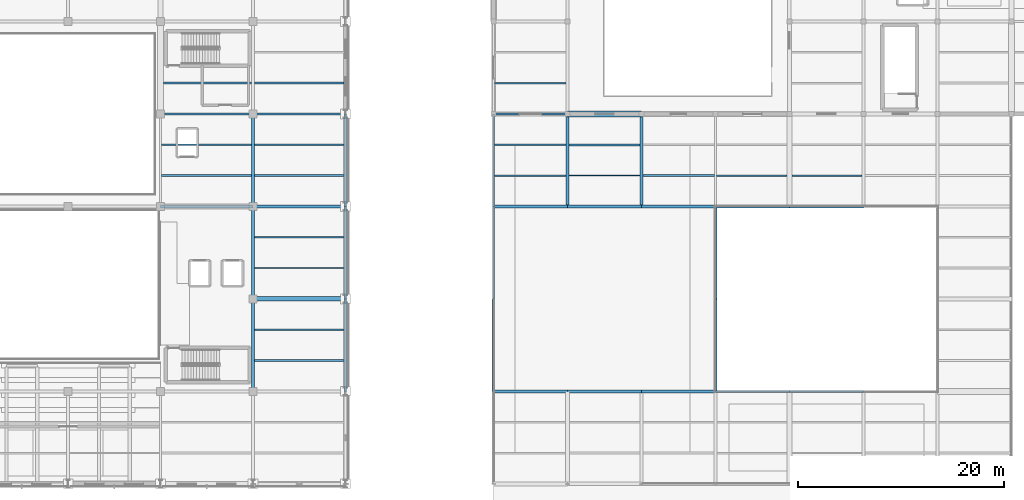
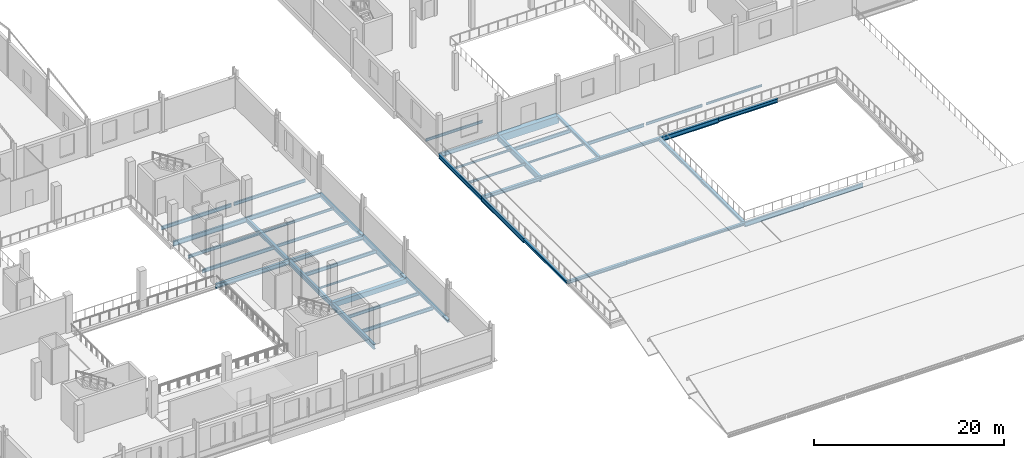
# One storey, part 10 of 54: 48 beams.
"""IFC4 building model written with IfcOpenShell, lengths in metres."""

from ifc_helpers import new_model, si_unit, direction, frame, origin, origin_2d, place, context, subcontext, project, spatial, rectangle, i_section, extrude, material, material_profile, profile_set, type_object, element, save


model = new_model("IFC4")

# Units and contexts
model_context = context("Model", 3, precision=1e-05, world=origin(), true_north=direction((0.0, 1.0)))
body_context = subcontext(model_context, "Body", "Model", "MODEL_VIEW")
ifc_project = project(units=[si_unit("LENGTHUNIT", "METRE"), si_unit("AREAUNIT", "SQUARE_METRE"), si_unit("VOLUMEUNIT", "CUBIC_METRE"), si_unit("PLANEANGLEUNIT", "RADIAN"), si_unit("MASSUNIT", "GRAM", prefix="KILO")], contexts=[model_context])

# Site, building, storey
site_placement = place(None, origin())
site = spatial("IfcSite", under=ifc_project, at=site_placement, CompositionType="ELEMENT")
building_placement = place(site_placement, origin())
building = spatial("IfcBuilding", under=site, at=building_placement, Name="Sundgate Opera House", CompositionType="ELEMENT")
storey_placement = place(building_placement, frame((0.0, 0.0, 16.800048828125)))
storey = spatial("IfcBuildingStorey", under=building, at=storey_placement, Name="L03", CompositionType="ELEMENT", Elevation=16.800048828125)

# Beams
ifc_material_1 = material(Name="Steel S355J2", Category="steel")
ifc_material_profile_1 = material_profile(ifc_material_1, i_section(OverallWidth=0.300048828125, OverallDepth=0.330078125, WebThickness=0.009521484375, FlangeThickness=0.0166015625, at=origin_2d()), Name="HEA 340")
ifc_profile_set_1 = profile_set([ifc_material_profile_1], Name="Steel S355J2")
beam_type_1 = type_object("IfcBeamType", Name="BM-GR-HEA340", PredefinedType="BEAM", material=ifc_profile_set_1)
for number, where, z_axis, x_axis, name in (
    (1, (95.39990234375, 42.0, -0.47509765625), (0.0, 1.0, 0.0), (-1.0, 0.0, 0.0), "L03 Primary N-S Girder B2512"),
    (2, (117.0, 51.0, -0.47509765625), (0.0, 1.0, 0.0), (-1.0, 0.0, 0.0), "L03 Primary N-S Girder B2534"),
):
    element("IfcBeam", number, at=place(storey_placement, frame(where, z_axis=z_axis, x_axis=x_axis)), inside=storey, type_object=beam_type_1, Name=name, PredefinedType="BEAM", context=body_context, shape_type="SweptSolid", body=[
        extrude(i_section(OverallWidth=0.300048828125, OverallDepth=0.330078125, WebThickness=0.009521484375, FlangeThickness=0.0166015625, at=origin_2d()), origin(), (0.0, 0.0, 1.0), 9.0),
    ])
beam_1_placement = place(storey_placement, frame((109.800048828125, 42.0, -0.47509765625), z_axis=(1.0, 0.0, 0.0), x_axis=(0.0, 1.0, 0.0)))
element("IfcBeam", 3, at=beam_1_placement, inside=storey, type_object=beam_type_1, Name="L03 Primary E-W Girder B2600", PredefinedType="BEAM", context=body_context, shape_type="SweptSolid", body=[
    extrude(i_section(OverallWidth=0.300048828125, OverallDepth=0.330078125, WebThickness=0.009521484375, FlangeThickness=0.0166015625, at=origin_2d()), origin(), (0.0, 0.0, 1.0), 7.199951171875),
])
ifc_material_2 = material(Name="Steel S355J2", Category="steel")
ifc_material_profile_2 = material_profile(ifc_material_2, i_section(OverallWidth=0.300048828125, OverallDepth=0.35009765625, WebThickness=0.010009765625, FlangeThickness=0.017578125, at=origin_2d()), Name="HEA 360")
ifc_profile_set_2 = profile_set([ifc_material_profile_2], Name="Steel S355J2")
beam_type_2 = type_object("IfcBeamType", Name="BM-GR-HEA360", PredefinedType="BEAM", material=ifc_profile_set_2)
beam_2_placement = place(storey_placement, frame((117.0, 42.0, -0.485107421875), z_axis=(0.0, 1.0, 0.0), x_axis=(-1.0, 0.0, 0.0)))
element("IfcBeam", 4, at=beam_2_placement, inside=storey, type_object=beam_type_2, Name="L03 Primary N-S Girder B2533", PredefinedType="BEAM", context=body_context, shape_type="SweptSolid", body=[
    extrude(i_section(OverallWidth=0.300048828125, OverallDepth=0.35009765625, WebThickness=0.010009765625, FlangeThickness=0.017578125, at=origin_2d()), origin(), (0.0, 0.0, 1.0), 9.0),
])
beam_3_placement = place(storey_placement, frame((102.60009765625, 42.0, -0.485107421875), z_axis=(1.0, 0.0, 0.0), x_axis=(0.0, 1.0, 0.0)))
element("IfcBeam", 5, at=beam_3_placement, inside=storey, type_object=beam_type_2, Name="L03 Primary E-W Girder B2599", PredefinedType="BEAM", context=body_context, shape_type="SweptSolid", body=[
    extrude(i_section(OverallWidth=0.300048828125, OverallDepth=0.35009765625, WebThickness=0.010009765625, FlangeThickness=0.017578125, at=origin_2d()), origin(), (0.0, 0.0, 1.0), 7.199951171875),
])
ifc_material_3 = material(Name="Steel S355J2", Category="steel")
ifc_material_profile_3 = material_profile(ifc_material_3, i_section(OverallWidth=0.300048828125, OverallDepth=0.389892578125, WebThickness=0.010986328125, FlangeThickness=0.01904296875, at=origin_2d()), Name="HEA 400")
ifc_profile_set_3 = profile_set([ifc_material_profile_3], Name="Steel S355J2")
beam_type_3 = type_object("IfcBeamType", Name="BM-GR-HEA400", PredefinedType="BEAM", material=ifc_profile_set_3)
beam_4_placement = place(storey_placement, frame((95.39990234375, 42.0, -0.505126953125), z_axis=(1.0, 0.0, 0.0), x_axis=(0.0, 1.0, 0.0)))
element("IfcBeam", 6, at=beam_4_placement, inside=storey, type_object=beam_type_3, Name="L03 Primary E-W Girder B2598", PredefinedType="BEAM", context=body_context, shape_type="SweptSolid", body=[
    extrude(i_section(OverallWidth=0.300048828125, OverallDepth=0.389892578125, WebThickness=0.010986328125, FlangeThickness=0.01904296875, at=origin_2d()), origin(), (0.0, 0.0, 1.0), 7.2001953125),
])
ifc_material_4 = material(Name="Steel S355J2", Category="steel")
ifc_material_profile_4 = material_profile(ifc_material_4, i_section(OverallWidth=0.300048828125, OverallDepth=0.489990234375, WebThickness=0.011962890625, FlangeThickness=0.02294921875, at=origin_2d()), Name="HEA 500")
ifc_profile_set_4 = profile_set([ifc_material_profile_4], Name="Steel S355J2")
beam_type_4 = type_object("IfcBeamType", Name="BM-GR-HEA500", PredefinedType="BEAM", material=ifc_profile_set_4)
beam_5_placement = place(storey_placement, frame((81.0, 60.0, -0.525146484375), z_axis=(0.0, 1.0, 0.0), x_axis=(-1.0, 0.0, 0.0)))
element("IfcBeam", 7, at=beam_5_placement, inside=storey, type_object=beam_type_4, Name="L03 Primary N-S Girder B2508", PredefinedType="BEAM", context=body_context, shape_type="SweptSolid", body=[
    extrude(i_section(OverallWidth=0.300048828125, OverallDepth=0.489990234375, WebThickness=0.011962890625, FlangeThickness=0.02294921875, at=origin_2d()), origin(), (0.0, 0.0, 1.0), 9.0),
])
beam_6_placement = place(storey_placement, frame((124.199951171875, 60.0, -0.554931640625), z_axis=(1.0, 0.0, 0.0), x_axis=(0.0, 1.0, 0.0)))
element("IfcBeam", 8, at=beam_6_placement, inside=storey, type_object=beam_type_4, Name="L03 Primary E-W Girder B2618", PredefinedType="BEAM", context=body_context, shape_type="SweptSolid", body=[
    extrude(i_section(OverallWidth=0.300048828125, OverallDepth=0.489990234375, WebThickness=0.011962890625, FlangeThickness=0.02294921875, at=origin_2d()), origin(), (0.0, 0.0, 1.0), 7.199951171875),
])
ifc_material_5 = material(Name="Steel S355J2", Category="steel")
ifc_material_profile_5 = material_profile(ifc_material_5, i_section(OverallWidth=0.300048828125, OverallDepth=0.590087890625, WebThickness=0.012939453125, FlangeThickness=0.02490234375, at=origin_2d()), Name="HEA 600")
ifc_profile_set_5 = profile_set([ifc_material_profile_5], Name="Steel S355J2")
beam_type_5 = type_object("IfcBeamType", Name="BM-GR-HEA600", PredefinedType="BEAM", material=ifc_profile_set_5)
beam_7_placement = place(storey_placement, frame((81.0, 51.0, -0.574951171875), z_axis=(0.0, 1.0, 0.0), x_axis=(-1.0, 0.0, 0.0)))
element("IfcBeam", 9, at=beam_7_placement, inside=storey, type_object=beam_type_5, Name="L03 Primary N-S Girder B2507", PredefinedType="BEAM", context=body_context, shape_type="SweptSolid", body=[
    extrude(i_section(OverallWidth=0.300048828125, OverallDepth=0.590087890625, WebThickness=0.012939453125, FlangeThickness=0.02490234375, at=origin_2d()), origin(), (0.0, 0.0, 1.0), 9.0),
])
beam_8_placement = place(storey_placement, frame((117.0, 60.0, -0.60498046875), z_axis=(1.0, 0.0, 0.0), x_axis=(0.0, 1.0, 0.0)))
element("IfcBeam", 10, at=beam_8_placement, inside=storey, type_object=beam_type_5, Name="L03 Primary E-W Girder B2617", PredefinedType="BEAM", context=body_context, shape_type="SweptSolid", body=[
    extrude(i_section(OverallWidth=0.300048828125, OverallDepth=0.590087890625, WebThickness=0.012939453125, FlangeThickness=0.02490234375, at=origin_2d()), origin(), (0.0, 0.0, 1.0), 7.199951171875),
])
ifc_material_6 = material(Name="Steel S355J2", Category="steel")
ifc_material_profile_6 = material_profile(ifc_material_6, i_section(OverallWidth=0.300048828125, OverallDepth=0.360107421875, WebThickness=0.012451171875, FlangeThickness=0.0224609375, at=origin_2d()), Name="HEB 360")
ifc_profile_set_6 = profile_set([ifc_material_profile_6], Name="Steel S355J2")
beam_type_6 = type_object("IfcBeamType", Name="BM-GR-HEB360", PredefinedType="BEAM", material=ifc_profile_set_6)
for number, where, z_axis, x_axis, name in (
    (11, (81.0, 42.0, -0.4599609375), (0.0, 1.0, 0.0), (-1.0, 0.0, 0.0), "L03 Primary N-S Girder B2506"),
    (12, (109.800048828125, 60.0, -0.489990234375), (0.0, 1.0, 0.0), (-1.0, 0.0, 0.0), "L03 Primary N-S Girder B2528"),
):
    element("IfcBeam", number, at=place(storey_placement, frame(where, z_axis=z_axis, x_axis=x_axis)), inside=storey, type_object=beam_type_6, Name=name, PredefinedType="BEAM", context=body_context, shape_type="SweptSolid", body=[
        extrude(i_section(OverallWidth=0.300048828125, OverallDepth=0.360107421875, WebThickness=0.012451171875, FlangeThickness=0.0224609375, at=origin_2d()), origin(), (0.0, 0.0, 1.0), 9.0),
    ])
beam_9_placement = place(storey_placement, frame((109.800048828125, 60.0, -0.489990234375), z_axis=(1.0, 0.0, 0.0), x_axis=(0.0, 1.0, 0.0)))
element("IfcBeam", 13, at=beam_9_placement, inside=storey, type_object=beam_type_6, Name="L03 Primary E-W Girder B2616", PredefinedType="BEAM", context=body_context, shape_type="SweptSolid", body=[
    extrude(i_section(OverallWidth=0.300048828125, OverallDepth=0.360107421875, WebThickness=0.012451171875, FlangeThickness=0.0224609375, at=origin_2d()), origin(), (0.0, 0.0, 1.0), 7.199951171875),
])
ifc_material_7 = material(Name="Steel S355J2", Category="steel")
ifc_material_profile_7 = material_profile(ifc_material_7, i_section(OverallWidth=0.300048828125, OverallDepth=0.39990234375, WebThickness=0.013427734375, FlangeThickness=0.02392578125, at=origin_2d()), Name="HEB 400")
ifc_profile_set_7 = profile_set([ifc_material_profile_7], Name="Steel S355J2")
beam_type_7 = type_object("IfcBeamType", Name="BM-GR-HEB400", PredefinedType="BEAM", material=ifc_profile_set_7)
beam_10_placement = place(storey_placement, frame((102.60009765625, 60.0, -0.510009765625), z_axis=(1.0, 0.0, 0.0), x_axis=(0.0, 1.0, 0.0)))
element("IfcBeam", 14, at=beam_10_placement, inside=storey, type_object=beam_type_7, Name="L03 Primary E-W Girder B2615", PredefinedType="BEAM", context=body_context, shape_type="SweptSolid", body=[
    extrude(i_section(OverallWidth=0.300048828125, OverallDepth=0.39990234375, WebThickness=0.013427734375, FlangeThickness=0.02392578125, at=origin_2d()), origin(), (0.0, 0.0, 1.0), 7.199951171875),
])
ifc_material_8 = material(Name="Steel S355J2", Category="steel")
ifc_material_profile_8 = material_profile(ifc_material_8, i_section(OverallWidth=0.300048828125, OverallDepth=0.449951171875, WebThickness=0.013916015625, FlangeThickness=0.02587890625, at=origin_2d()), Name="HEB 450")
ifc_profile_set_8 = profile_set([ifc_material_profile_8], Name="Steel S355J2")
beam_type_8 = type_object("IfcBeamType", Name="BM-GR-HEB450", PredefinedType="BEAM", material=ifc_profile_set_8)
beam_11_placement = place(storey_placement, frame((95.39990234375, 60.0, -0.53515625), z_axis=(1.0, 0.0, 0.0), x_axis=(0.0, 1.0, 0.0)))
element("IfcBeam", 15, at=beam_11_placement, inside=storey, type_object=beam_type_8, Name="L03 Primary E-W Girder B2614", PredefinedType="BEAM", context=body_context, shape_type="SweptSolid", body=[
    extrude(i_section(OverallWidth=0.300048828125, OverallDepth=0.449951171875, WebThickness=0.013916015625, FlangeThickness=0.02587890625, at=origin_2d()), origin(), (0.0, 0.0, 1.0), 7.2001953125),
])
ifc_material_9 = material(Name="Steel S355J2", Category="steel")
ifc_material_profile_9 = material_profile(ifc_material_9, i_section(OverallWidth=0.300048828125, OverallDepth=0.5, WebThickness=0.014404296875, FlangeThickness=0.028076171875, at=origin_2d()), Name="HEB 500")
ifc_profile_set_9 = profile_set([ifc_material_profile_9], Name="Steel S355J2")
beam_type_9 = type_object("IfcBeamType", Name="BM-GR-HEB500", PredefinedType="BEAM", material=ifc_profile_set_9)
beam_12_placement = place(storey_placement, frame((72.0, 60.0, -0.530029296875), z_axis=(1.0, 0.0, 0.0), x_axis=(0.0, 1.0, 0.0)))
element("IfcBeam", 16, at=beam_12_placement, inside=storey, type_object=beam_type_9, Name="L03 Primary E-W Girder B2613", PredefinedType="BEAM", context=body_context, shape_type="SweptSolid", body=[
    extrude(i_section(OverallWidth=0.300048828125, OverallDepth=0.5, WebThickness=0.014404296875, FlangeThickness=0.028076171875, at=origin_2d()), origin(), (0.0, 0.0, 1.0), 9.0),
])
ifc_material_10 = material(Name="Steel S355J2", Category="steel")
ifc_material_profile_10 = material_profile(ifc_material_10, i_section(OverallWidth=0.300048828125, OverallDepth=0.550048828125, WebThickness=0.014892578125, FlangeThickness=0.029052734375, at=origin_2d()), Name="HEB 550")
ifc_profile_set_10 = profile_set([ifc_material_profile_10], Name="Steel S355J2")
beam_type_10 = type_object("IfcBeamType", Name="BM-GR-HEB550", PredefinedType="BEAM", material=ifc_profile_set_10)
for number, where, z_axis, x_axis, name in (
    (17, (72.0, 60.0, -0.554931640625), (0.0, 1.0, 0.0), (-1.0, 0.0, 0.0), "L03 Primary N-S Girder B2502"),
    (18, (63.0, 60.0, -0.554931640625), (1.0, 0.0, 0.0), (0.0, 1.0, 0.0), "L03 Primary E-W Girder B2612"),
):
    element("IfcBeam", number, at=place(storey_placement, frame(where, z_axis=z_axis, x_axis=x_axis)), inside=storey, type_object=beam_type_10, Name=name, PredefinedType="BEAM", context=body_context, shape_type="SweptSolid", body=[
        extrude(i_section(OverallWidth=0.300048828125, OverallDepth=0.550048828125, WebThickness=0.014892578125, FlangeThickness=0.029052734375, at=origin_2d()), origin(), (0.0, 0.0, 1.0), 9.0),
    ])
ifc_material_11 = material(Name="Steel S355J2", Category="steel")
ifc_material_profile_11 = material_profile(ifc_material_11, i_section(OverallWidth=0.300048828125, OverallDepth=0.60009765625, WebThickness=0.015380859375, FlangeThickness=0.030029296875, at=origin_2d()), Name="HEB 600")
ifc_profile_set_11 = profile_set([ifc_material_profile_11], Name="Steel S355J2")
beam_type_11 = type_object("IfcBeamType", Name="BM-GR-HEB600", PredefinedType="BEAM", material=ifc_profile_set_11)
beam_13_placement = place(storey_placement, frame((72.0, 51.0, -0.580078125), z_axis=(0.0, 1.0, 0.0), x_axis=(-1.0, 0.0, 0.0)))
element("IfcBeam", 19, at=beam_13_placement, inside=storey, type_object=beam_type_11, Name="L03 Primary N-S Girder B2501", PredefinedType="BEAM", context=body_context, shape_type="SweptSolid", body=[
    extrude(i_section(OverallWidth=0.300048828125, OverallDepth=0.60009765625, WebThickness=0.015380859375, FlangeThickness=0.030029296875, at=origin_2d()), origin(), (0.0, 0.0, 1.0), 9.0),
])
ifc_material_12 = material(Name="Steel S355J2", Category="steel")
ifc_material_profile_12 = material_profile(ifc_material_12, i_section(OverallWidth=0.300048828125, OverallDepth=0.64990234375, WebThickness=0.01611328125, FlangeThickness=0.031005859375, at=origin_2d()), Name="HEB 650")
ifc_profile_set_12 = profile_set([ifc_material_profile_12], Name="Steel S355J2")
beam_type_12 = type_object("IfcBeamType", Name="BM-GR-HEB650", PredefinedType="BEAM", material=ifc_profile_set_12)
beam_14_placement = place(storey_placement, frame((72.0, 42.0, -0.60498046875), z_axis=(0.0, 1.0, 0.0), x_axis=(-1.0, 0.0, 0.0)))
element("IfcBeam", 20, at=beam_14_placement, inside=storey, type_object=beam_type_12, Name="L03 Primary N-S Girder B2500", PredefinedType="BEAM", context=body_context, shape_type="SweptSolid", body=[
    extrude(i_section(OverallWidth=0.300048828125, OverallDepth=0.64990234375, WebThickness=0.01611328125, FlangeThickness=0.031005859375, at=origin_2d()), origin(), (0.0, 0.0, 1.0), 9.0),
])
ifc_material_13 = material(Name="Steel S355J2", Category="steel")
ifc_material_profile_13 = material_profile(ifc_material_13, i_section(OverallWidth=0.300048828125, OverallDepth=0.699951171875, WebThickness=0.01708984375, FlangeThickness=0.031982421875, at=origin_2d()), Name="HEB 700")
ifc_profile_set_13 = profile_set([ifc_material_profile_13], Name="Steel S355J2")
beam_type_13 = type_object("IfcBeamType", Name="BM-GR-HEB700", PredefinedType="BEAM", material=ifc_profile_set_13)
beam_15_placement = place(storey_placement, frame((102.60009765625, 60.0, -0.66015625), z_axis=(0.0, 1.0, 0.0), x_axis=(-1.0, 0.0, 0.0)))
element("IfcBeam", 21, at=beam_15_placement, inside=storey, type_object=beam_type_13, Name="L03 Primary N-S Girder B2521", PredefinedType="BEAM", context=body_context, shape_type="SweptSolid", body=[
    extrude(i_section(OverallWidth=0.300048828125, OverallDepth=0.699951171875, WebThickness=0.01708984375, FlangeThickness=0.031982421875, at=origin_2d()), origin(), (0.0, 0.0, 1.0), 9.0),
])
ifc_material_14 = material(Name="Steel S355J2", Category="steel")
ifc_material_profile_14 = material_profile(ifc_material_14, i_section(OverallWidth=0.199951171875, OverallDepth=0.5, WebThickness=0.01025390625, FlangeThickness=0.01611328125, at=origin_2d()), Name="IPE 500")
ifc_profile_set_14 = profile_set([ifc_material_profile_14], Name="Steel S355J2")
beam_type_14 = type_object("IfcBeamType", Name="BM-GR-IPE500", PredefinedType="BEAM", material=ifc_profile_set_14)
beam_16_placement = place(storey_placement, frame((95.39990234375, 69.0, -0.56005859375), z_axis=(1.0, 0.0, 0.0), x_axis=(0.0, 1.0, 0.0)))
element("IfcBeam", 22, at=beam_16_placement, inside=storey, type_object=beam_type_14, Name="L03 Primary E-W Girder B2625", PredefinedType="BEAM", context=body_context, shape_type="SweptSolid", body=[
    extrude(i_section(OverallWidth=0.199951171875, OverallDepth=0.5, WebThickness=0.01025390625, FlangeThickness=0.01611328125, at=origin_2d()), origin(), (0.0, 0.0, 1.0), 7.2001953125),
])
ifc_material_15 = material(Name="Steel S355J2", Category="steel")
ifc_material_profile_15 = material_profile(ifc_material_15, i_section(OverallWidth=0.2099609375, OverallDepth=0.550048828125, WebThickness=0.010986328125, FlangeThickness=0.01708984375, at=origin_2d()), Name="IPE 550")
ifc_profile_set_15 = profile_set([ifc_material_profile_15], Name="Steel S355J2")
beam_type_15 = type_object("IfcBeamType", Name="BM-GR-IPE550", PredefinedType="BEAM", material=ifc_profile_set_15)
beam_17_placement = place(storey_placement, frame((95.39990234375, 60.0, -0.5849609375), z_axis=(0.0, 1.0, 0.0), x_axis=(-1.0, 0.0, 0.0)))
element("IfcBeam", 23, at=beam_17_placement, inside=storey, type_object=beam_type_15, Name="L03 Primary N-S Girder B2514", PredefinedType="BEAM", context=body_context, shape_type="SweptSolid", body=[
    extrude(i_section(OverallWidth=0.2099609375, OverallDepth=0.550048828125, WebThickness=0.010986328125, FlangeThickness=0.01708984375, at=origin_2d()), origin(), (0.0, 0.0, 1.0), 9.0),
])
beam_18_placement = place(storey_placement, frame((124.199951171875, 42.0, -0.5849609375), z_axis=(1.0, 0.0, 0.0), x_axis=(0.0, 1.0, 0.0)))
element("IfcBeam", 24, at=beam_18_placement, inside=storey, type_object=beam_type_15, Name="L03 Primary E-W Girder B2602", PredefinedType="BEAM", context=body_context, shape_type="SweptSolid", body=[
    extrude(i_section(OverallWidth=0.2099609375, OverallDepth=0.550048828125, WebThickness=0.010986328125, FlangeThickness=0.01708984375, at=origin_2d()), origin(), (0.0, 0.0, 1.0), 7.199951171875),
])
beam_19_placement = place(storey_placement, frame((72.0, 69.0, -0.554931640625), z_axis=(1.0, 0.0, 0.0), x_axis=(0.0, 1.0, 0.0)))
element("IfcBeam", 25, at=beam_19_placement, inside=storey, type_object=beam_type_15, Name="L03 Primary E-W Girder B2624", PredefinedType="BEAM", context=body_context, shape_type="SweptSolid", body=[
    extrude(i_section(OverallWidth=0.2099609375, OverallDepth=0.550048828125, WebThickness=0.010986328125, FlangeThickness=0.01708984375, at=origin_2d()), origin(), (0.0, 0.0, 1.0), 9.0),
])
ifc_material_16 = material(Name="Steel S355J2", Category="steel")
ifc_material_profile_16 = material_profile(ifc_material_16, i_section(OverallWidth=0.219970703125, OverallDepth=0.60009765625, WebThickness=0.011962890625, FlangeThickness=0.01904296875, at=origin_2d()), Name="IPE 600")
ifc_profile_set_16 = profile_set([ifc_material_profile_16], Name="Steel S355J2")
beam_type_16 = type_object("IfcBeamType", Name="BM-GR-IPE600", PredefinedType="BEAM", material=ifc_profile_set_16)
beam_20_placement = place(storey_placement, frame((95.39990234375, 51.0, -0.610107421875), z_axis=(0.0, 1.0, 0.0), x_axis=(-1.0, 0.0, 0.0)))
element("IfcBeam", 26, at=beam_20_placement, inside=storey, type_object=beam_type_16, Name="L03 Primary N-S Girder B2513", PredefinedType="BEAM", context=body_context, shape_type="SweptSolid", body=[
    extrude(i_section(OverallWidth=0.219970703125, OverallDepth=0.60009765625, WebThickness=0.011962890625, FlangeThickness=0.01904296875, at=origin_2d()), origin(), (0.0, 0.0, 1.0), 9.0),
])
beam_21_placement = place(storey_placement, frame((117.0, 42.0, -0.610107421875), z_axis=(1.0, 0.0, 0.0), x_axis=(0.0, 1.0, 0.0)))
element("IfcBeam", 27, at=beam_21_placement, inside=storey, type_object=beam_type_16, Name="L03 Primary E-W Girder B2601", PredefinedType="BEAM", context=body_context, shape_type="SweptSolid", body=[
    extrude(i_section(OverallWidth=0.219970703125, OverallDepth=0.60009765625, WebThickness=0.011962890625, FlangeThickness=0.01904296875, at=origin_2d()), origin(), (0.0, 0.0, 1.0), 7.199951171875),
])
beam_22_placement = place(storey_placement, frame((63.0, 69.0, -0.580078125), z_axis=(1.0, 0.0, 0.0), x_axis=(0.0, 1.0, 0.0)))
element("IfcBeam", 28, at=beam_22_placement, inside=storey, type_object=beam_type_16, Name="L03 Primary E-W Girder B2623", PredefinedType="BEAM", context=body_context, shape_type="SweptSolid", body=[
    extrude(i_section(OverallWidth=0.219970703125, OverallDepth=0.60009765625, WebThickness=0.011962890625, FlangeThickness=0.01904296875, at=origin_2d()), origin(), (0.0, 0.0, 1.0), 9.0),
])
ifc_material_17 = material(Name="Steel S355J2", Category="steel")
ifc_material_profile_17 = material_profile(ifc_material_17, i_section(OverallWidth=0.1201171875, OverallDepth=0.239990234375, WebThickness=0.006103515625, FlangeThickness=0.009765625, at=origin_2d()), Name="IPE 240")
ifc_profile_set_17 = profile_set([ifc_material_profile_17], Name="Steel S355J2")
beam_type_17 = type_object("IfcBeamType", Name="BM-JS-IPE240", PredefinedType="JOIST", material=ifc_profile_set_17)
beam_23_placement = place(storey_placement, frame((72.14990234375, 54.0, -0.400146484375), z_axis=(1.0, 0.0, 0.0), x_axis=(0.0, 1.0, 0.0)))
element("IfcBeam", 29, at=beam_23_placement, inside=storey, type_object=beam_type_17, Name="L03 Secondary Floor Joist B2740", PredefinedType="JOIST", context=body_context, shape_type="SweptSolid", body=[
    extrude(i_section(OverallWidth=0.1201171875, OverallDepth=0.239990234375, WebThickness=0.006103515625, FlangeThickness=0.009765625, at=origin_2d()), origin(), (0.0, 0.0, 1.0), 8.7001953125),
])
beam_24_placement = place(storey_placement, frame((102.75, 63.0, -0.429931640625), z_axis=(1.0, 0.0, 0.0), x_axis=(0.0, 1.0, 0.0)))
element("IfcBeam", 30, at=beam_24_placement, inside=storey, type_object=beam_type_17, Name="L03 Secondary Floor Joist B2754", PredefinedType="JOIST", context=body_context, shape_type="SweptSolid", body=[
    extrude(i_section(OverallWidth=0.1201171875, OverallDepth=0.239990234375, WebThickness=0.006103515625, FlangeThickness=0.009765625, at=origin_2d()), origin(), (0.0, 0.0, 1.0), 6.89990234375),
])
ifc_material_18 = material(Name="Steel S355J2", Category="steel")
ifc_material_profile_18 = material_profile(ifc_material_18, i_section(OverallWidth=0.135009765625, OverallDepth=0.27001953125, WebThickness=0.006591796875, FlangeThickness=0.01025390625, at=origin_2d()), Name="IPE 270")
ifc_profile_set_18 = profile_set([ifc_material_profile_18], Name="Steel S355J2")
beam_type_18 = type_object("IfcBeamType", Name="BM-JS-IPE270", PredefinedType="JOIST", material=ifc_profile_set_18)
beam_25_placement = place(storey_placement, frame((95.5048828125, 66.0, -0.445068359375), z_axis=(1.0, 0.0, 0.0), x_axis=(0.0, 1.0, 0.0)))
element("IfcBeam", 31, at=beam_25_placement, inside=storey, type_object=beam_type_18, Name="L03 Secondary Floor Joist B2753", PredefinedType="JOIST", context=body_context, shape_type="SweptSolid", body=[
    extrude(i_section(OverallWidth=0.135009765625, OverallDepth=0.27001953125, WebThickness=0.006591796875, FlangeThickness=0.01025390625, at=origin_2d()), origin(), (0.0, 0.0, 1.0), 6.945068359375),
])
beam_26_placement = place(storey_placement, frame((124.425048828125, 63.0, -0.445068359375), z_axis=(1.0, 0.0, 0.0), x_axis=(0.0, 1.0, 0.0)))
element("IfcBeam", 32, at=beam_26_placement, inside=storey, type_object=beam_type_18, Name="L03 Secondary Floor Joist B2760", PredefinedType="JOIST", context=body_context, shape_type="SweptSolid", body=[
    extrude(i_section(OverallWidth=0.135009765625, OverallDepth=0.27001953125, WebThickness=0.006591796875, FlangeThickness=0.01025390625, at=origin_2d()), origin(), (0.0, 0.0, 1.0), 6.824951171875),
])
ifc_material_19 = material(Name="Steel S355J2", Category="steel")
ifc_material_profile_19 = material_profile(ifc_material_19, i_section(OverallWidth=0.14990234375, OverallDepth=0.300048828125, WebThickness=0.007080078125, FlangeThickness=0.0107421875, at=origin_2d()), Name="IPE 300")
ifc_profile_set_19 = profile_set([ifc_material_profile_19], Name="Steel S355J2")
beam_type_19 = type_object("IfcBeamType", Name="BM-JS-IPE300", PredefinedType="JOIST", material=ifc_profile_set_19)
beam_27_placement = place(storey_placement, frame((95.5048828125, 63.0, -0.4599609375), z_axis=(1.0, 0.0, 0.0), x_axis=(0.0, 1.0, 0.0)))
element("IfcBeam", 33, at=beam_27_placement, inside=storey, type_object=beam_type_19, Name="L03 Secondary Floor Joist B2752", PredefinedType="JOIST", context=body_context, shape_type="SweptSolid", body=[
    extrude(i_section(OverallWidth=0.14990234375, OverallDepth=0.300048828125, WebThickness=0.007080078125, FlangeThickness=0.0107421875, at=origin_2d()), origin(), (0.0, 0.0, 1.0), 6.945068359375),
])
ifc_material_20 = material(Name="Steel S355J2", Category="steel")
ifc_material_profile_20 = material_profile(ifc_material_20, i_section(OverallWidth=0.159912109375, OverallDepth=0.330078125, WebThickness=0.007568359375, FlangeThickness=0.011474609375, at=origin_2d()), Name="IPE 330")
ifc_profile_set_20 = profile_set([ifc_material_profile_20], Name="Steel S355J2")
beam_type_20 = type_object("IfcBeamType", Name="BM-JS-IPE330", PredefinedType="JOIST", material=ifc_profile_set_20)
beam_28_placement = place(storey_placement, frame((72.14990234375, 66.0, -0.445068359375), z_axis=(1.0, 0.0, 0.0), x_axis=(0.0, 1.0, 0.0)))
element("IfcBeam", 34, at=beam_28_placement, inside=storey, type_object=beam_type_20, Name="L03 Secondary Floor Joist B2751", PredefinedType="JOIST", context=body_context, shape_type="SweptSolid", body=[
    extrude(i_section(OverallWidth=0.159912109375, OverallDepth=0.330078125, WebThickness=0.007568359375, FlangeThickness=0.011474609375, at=origin_2d()), origin(), (0.0, 0.0, 1.0), 8.7001953125),
])
beam_29_placement = place(storey_placement, frame((117.110107421875, 63.0, -0.47509765625), z_axis=(1.0, 0.0, 0.0), x_axis=(0.0, 1.0, 0.0)))
element("IfcBeam", 35, at=beam_29_placement, inside=storey, type_object=beam_type_20, Name="L03 Secondary Floor Joist B2758", PredefinedType="JOIST", context=body_context, shape_type="SweptSolid", body=[
    extrude(i_section(OverallWidth=0.159912109375, OverallDepth=0.330078125, WebThickness=0.007568359375, FlangeThickness=0.011474609375, at=origin_2d()), origin(), (0.0, 0.0, 1.0), 6.864990234375),
])
beam_30_placement = place(storey_placement, frame((95.5, 72.0, -0.445068359375), z_axis=(1.0, 0.0, 0.0), x_axis=(0.0, 1.0, 0.0)))
element("IfcBeam", 36, at=beam_30_placement, inside=storey, type_object=beam_type_20, Name="L03 Secondary Floor Joist B2772", PredefinedType="JOIST", context=body_context, shape_type="SweptSolid", body=[
    extrude(i_section(OverallWidth=0.159912109375, OverallDepth=0.330078125, WebThickness=0.007568359375, FlangeThickness=0.011474609375, at=origin_2d()), origin(), (0.0, 0.0, 1.0), 6.949951171875),
])
ifc_material_21 = material(Name="Steel S355J2", Category="steel")
ifc_material_profile_21 = material_profile(ifc_material_21, i_section(OverallWidth=0.169921875, OverallDepth=0.360107421875, WebThickness=0.008056640625, FlangeThickness=0.0126953125, at=origin_2d()), Name="IPE 360")
ifc_profile_set_21 = profile_set([ifc_material_profile_21], Name="Steel S355J2")
beam_type_21 = type_object("IfcBeamType", Name="BM-JS-IPE360", PredefinedType="JOIST", material=ifc_profile_set_21)
beam_31_placement = place(storey_placement, frame((72.14990234375, 63.0, -0.4599609375), z_axis=(1.0, 0.0, 0.0), x_axis=(0.0, 1.0, 0.0)))
element("IfcBeam", 37, at=beam_31_placement, inside=storey, type_object=beam_type_21, Name="L03 Secondary Floor Joist B2750", PredefinedType="JOIST", context=body_context, shape_type="SweptSolid", body=[
    extrude(i_section(OverallWidth=0.169921875, OverallDepth=0.360107421875, WebThickness=0.008056640625, FlangeThickness=0.0126953125, at=origin_2d()), origin(), (0.0, 0.0, 1.0), 8.7001953125),
])
ifc_material_22 = material(Name="Steel S355J2", Category="steel")
ifc_material_profile_22 = material_profile(ifc_material_22, i_section(OverallWidth=0.179931640625, OverallDepth=0.39990234375, WebThickness=0.008544921875, FlangeThickness=0.013427734375, at=origin_2d()), Name="IPE 400")
ifc_profile_set_22 = profile_set([ifc_material_profile_22], Name="Steel S355J2")
beam_type_22 = type_object("IfcBeamType", Name="BM-JS-IPE400", PredefinedType="JOIST", material=ifc_profile_set_22)
beam_32_placement = place(storey_placement, frame((72.14990234375, 48.0, -0.47998046875), z_axis=(1.0, 0.0, 0.0), x_axis=(0.0, 1.0, 0.0)))
element("IfcBeam", 38, at=beam_32_placement, inside=storey, type_object=beam_type_22, Name="L03 Secondary Floor Joist B2735", PredefinedType="JOIST", context=body_context, shape_type="SweptSolid", body=[
    extrude(i_section(OverallWidth=0.179931640625, OverallDepth=0.39990234375, WebThickness=0.008544921875, FlangeThickness=0.013427734375, at=origin_2d()), origin(), (0.0, 0.0, 1.0), 8.7001953125),
])
beam_33_placement = place(storey_placement, frame((63.10009765625, 66.0, -0.47998046875), z_axis=(1.0, 0.0, 0.0), x_axis=(0.0, 1.0, 0.0)))
element("IfcBeam", 39, at=beam_33_placement, inside=storey, type_object=beam_type_22, Name="L03 Secondary Floor Joist B2749", PredefinedType="JOIST", context=body_context, shape_type="SweptSolid", body=[
    extrude(i_section(OverallWidth=0.179931640625, OverallDepth=0.39990234375, WebThickness=0.008544921875, FlangeThickness=0.013427734375, at=origin_2d()), origin(), (0.0, 0.0, 1.0), 8.75),
])
beam_34_placement = place(storey_placement, frame((109.949951171875, 63.0, -0.510009765625), z_axis=(1.0, 0.0, 0.0), x_axis=(0.0, 1.0, 0.0)))
element("IfcBeam", 40, at=beam_34_placement, inside=storey, type_object=beam_type_22, Name="L03 Secondary Floor Joist B2756", PredefinedType="JOIST", context=body_context, shape_type="SweptSolid", body=[
    extrude(i_section(OverallWidth=0.179931640625, OverallDepth=0.39990234375, WebThickness=0.008544921875, FlangeThickness=0.013427734375, at=origin_2d()), origin(), (0.0, 0.0, 1.0), 6.93994140625),
])
beam_35_placement = place(storey_placement, frame((72.14990234375, 72.0, -0.47998046875), z_axis=(1.0, 0.0, 0.0), x_axis=(0.0, 1.0, 0.0)))
element("IfcBeam", 41, at=beam_35_placement, inside=storey, type_object=beam_type_22, Name="L03 Secondary Floor Joist B2770", PredefinedType="JOIST", context=body_context, shape_type="SweptSolid", body=[
    extrude(i_section(OverallWidth=0.179931640625, OverallDepth=0.39990234375, WebThickness=0.008544921875, FlangeThickness=0.013427734375, at=origin_2d()), origin(), (0.0, 0.0, 1.0), 8.7001953125),
])
ifc_material_23 = material(Name="Steel S355J2", Category="steel")
ifc_material_profile_23 = material_profile(ifc_material_23, i_section(OverallWidth=0.18994140625, OverallDepth=0.449951171875, WebThickness=0.009521484375, FlangeThickness=0.0146484375, at=origin_2d()), Name="IPE 450")
ifc_profile_set_23 = profile_set([ifc_material_profile_23], Name="Steel S355J2")
beam_type_23 = type_object("IfcBeamType", Name="BM-JS-IPE450", PredefinedType="JOIST", material=ifc_profile_set_23)
for number, where, z_axis, x_axis, name in (
    (42, (72.14990234375, 45.0, -0.505126953125), (1.0, 0.0, 0.0), (0.0, 1.0, 0.0), "L03 Secondary Floor Joist B2734"),
    (43, (72.14990234375, 57.0, -0.505126953125), (1.0, 0.0, 0.0), (0.0, 1.0, 0.0), "L03 Secondary Floor Joist B2741"),
):
    element("IfcBeam", number, at=place(storey_placement, frame(where, z_axis=z_axis, x_axis=x_axis)), inside=storey, type_object=beam_type_23, Name=name, PredefinedType="JOIST", context=body_context, shape_type="SweptSolid", body=[
        extrude(i_section(OverallWidth=0.18994140625, OverallDepth=0.449951171875, WebThickness=0.009521484375, FlangeThickness=0.0146484375, at=origin_2d()), origin(), (0.0, 0.0, 1.0), 8.7001953125),
    ])
beam_36_placement = place(storey_placement, frame((63.10009765625, 63.0, -0.505126953125), z_axis=(1.0, 0.0, 0.0), x_axis=(0.0, 1.0, 0.0)))
element("IfcBeam", 44, at=beam_36_placement, inside=storey, type_object=beam_type_23, Name="L03 Secondary Floor Joist B2748", PredefinedType="JOIST", context=body_context, shape_type="SweptSolid", body=[
    extrude(i_section(OverallWidth=0.18994140625, OverallDepth=0.449951171875, WebThickness=0.009521484375, FlangeThickness=0.0146484375, at=origin_2d()), origin(), (0.0, 0.0, 1.0), 8.75),
])
beam_37_placement = place(storey_placement, frame((102.75, 66.0, -0.53515625), z_axis=(1.0, 0.0, 0.0), x_axis=(0.0, 1.0, 0.0)))
element("IfcBeam", 45, at=beam_37_placement, inside=storey, type_object=beam_type_23, Name="L03 Secondary Floor Joist B2755", PredefinedType="JOIST", context=body_context, shape_type="SweptSolid", body=[
    extrude(i_section(OverallWidth=0.18994140625, OverallDepth=0.449951171875, WebThickness=0.009521484375, FlangeThickness=0.0146484375, at=origin_2d()), origin(), (0.0, 0.0, 1.0), 6.89990234375),
])
beam_38_placement = place(storey_placement, frame((63.300048828125, 72.0, -0.505126953125), z_axis=(1.0, 0.0, 0.0), x_axis=(0.0, 1.0, 0.0)))
element("IfcBeam", 46, at=beam_38_placement, inside=storey, type_object=beam_type_23, Name="L03 Secondary Floor Joist B2769", PredefinedType="JOIST", context=body_context, shape_type="SweptSolid", body=[
    extrude(i_section(OverallWidth=0.18994140625, OverallDepth=0.449951171875, WebThickness=0.009521484375, FlangeThickness=0.0146484375, at=origin_2d()), origin(), (0.0, 0.0, 1.0), 8.550048828125),
])
ifc_material_24 = material(Name="Concrete C35/45", Category="concrete")
ifc_material_profile_24 = material_profile(ifc_material_24, rectangle(XDim=0.449951171875, YDim=0.64990234375, at=origin_2d()), Name="RC 450x650")
ifc_profile_set_24 = profile_set([ifc_material_profile_24], Name="Concrete C35/45")
beam_type_24 = type_object("IfcBeamType", Name="BM-RC-450x650", PredefinedType="BEAM", material=ifc_profile_set_24)
beam_39_placement = place(storey_placement, frame((72.0, 51.0, -0.60498046875), z_axis=(1.0, 0.0, 0.0), x_axis=(0.0, 1.0, 0.0)))
element("IfcBeam", 47, at=beam_39_placement, inside=storey, type_object=beam_type_24, Name="L03 Primary E-W Girder B2606", PredefinedType="BEAM", context=body_context, shape_type="SweptSolid", body=[
    extrude(rectangle(XDim=0.449951171875, YDim=0.64990234375, at=origin_2d()), origin(), (0.0, 0.0, 1.0), 9.0),
])
ifc_material_25 = material(Name="Concrete C40/50", Category="concrete")
ifc_material_profile_25 = material_profile(ifc_material_25, rectangle(XDim=0.60009765625, YDim=0.949951171875, at=origin_2d()), Name="RC 600x950")
ifc_profile_set_25 = profile_set([ifc_material_profile_25], Name="Concrete C40/50")
beam_type_25 = type_object("IfcBeamType", Name="BM-RC-600x950", PredefinedType="BEAM", material=ifc_profile_set_25)
beam_40_placement = place(storey_placement, frame((102.60009765625, 69.0, -0.78515625), z_axis=(1.0, 0.0, 0.0), x_axis=(0.0, 1.0, 0.0)))
element("IfcBeam", 48, at=beam_40_placement, inside=storey, type_object=beam_type_25, Name="L03 Primary E-W Girder B2626", PredefinedType="BEAM", context=body_context, shape_type="SweptSolid", body=[
    extrude(rectangle(XDim=0.60009765625, YDim=0.949951171875, at=origin_2d()), origin(), (0.0, 0.0, 1.0), 7.199951171875),
])

save(model, "model.ifc")
